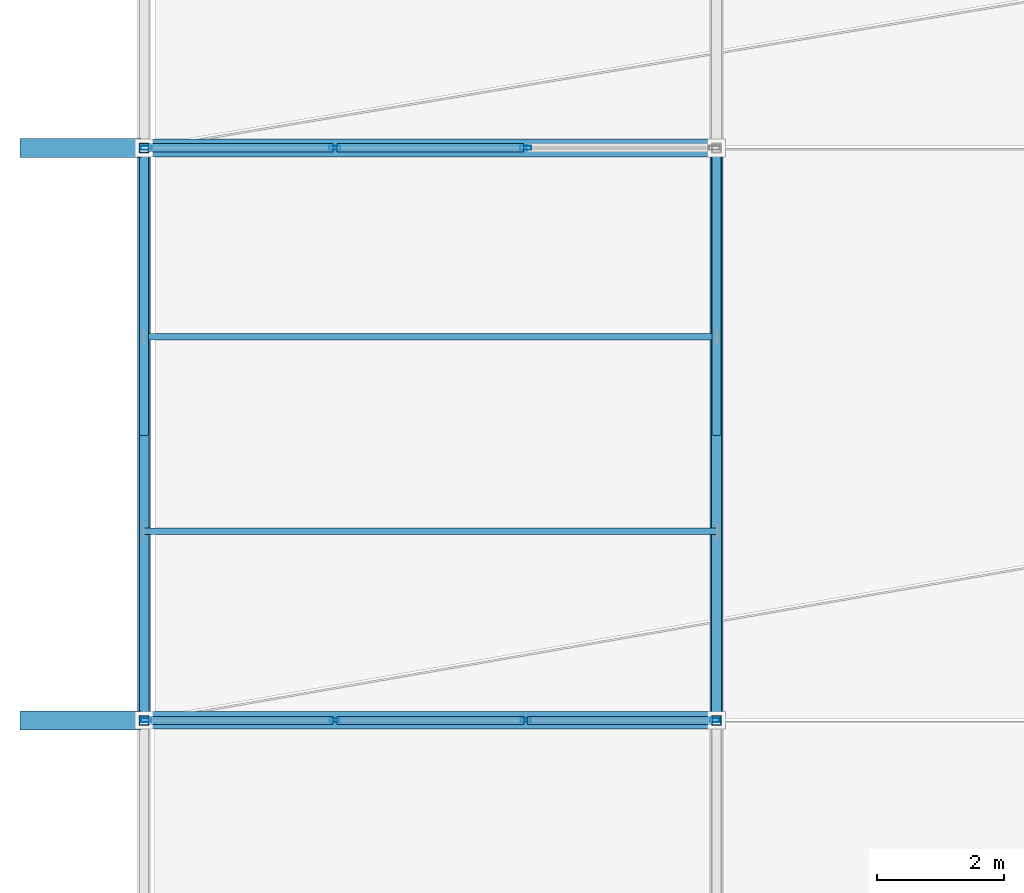
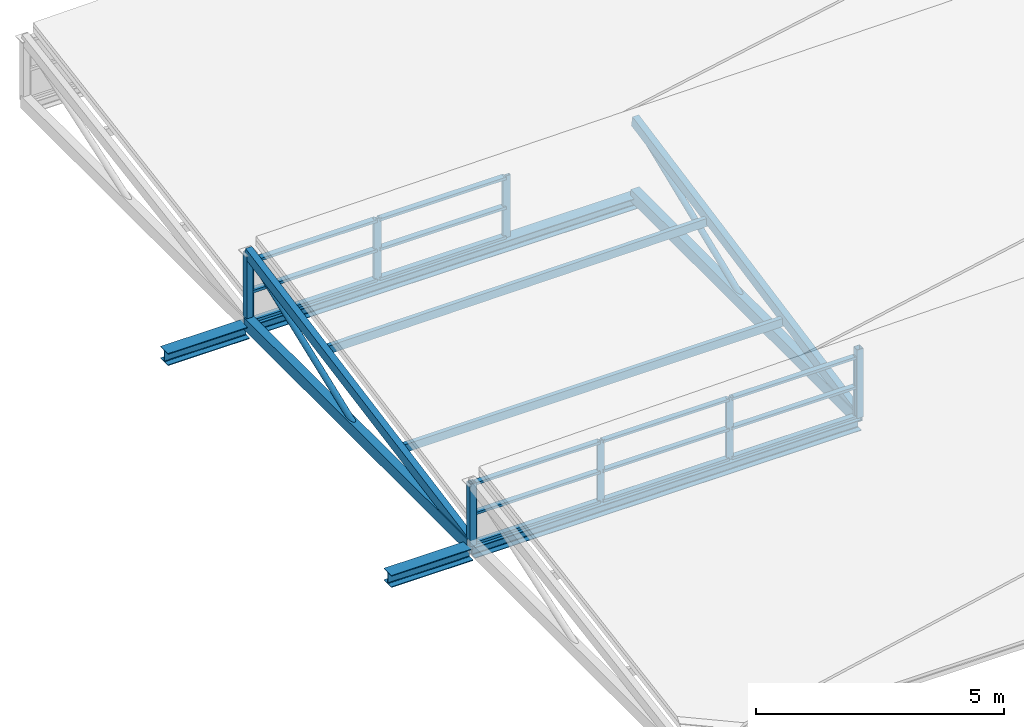
# One storey, part 23 of 103: 33 members, 4 beams, 2 elements without a shape of their own.
"""IFC4 building model written with IfcOpenShell, lengths in metres."""

from ifc_helpers import new_model, si_unit, direction, frame, origin, origin_2d, place, context, subcontext, project, spatial, hollow_rectangle, hollow_circle, i_section, extrude, material, layer, layer_set, material_profile, profile_set, type_object, element, aggregate, save


model = new_model("IFC4")

# Units and contexts
model_context = context("Model", 3, precision=1e-05, world=origin(), true_north=direction((0.0, 1.0)))
body_context = subcontext(model_context, "Body", "Model", "MODEL_VIEW")
ifc_project = project(units=[si_unit("LENGTHUNIT", "METRE"), si_unit("AREAUNIT", "SQUARE_METRE"), si_unit("VOLUMEUNIT", "CUBIC_METRE"), si_unit("PLANEANGLEUNIT", "RADIAN"), si_unit("MASSUNIT", "GRAM", prefix="KILO")], contexts=[model_context])

# Site, building, storey
site_placement = place(None, origin())
site = spatial("IfcSite", under=ifc_project, at=site_placement, CompositionType="ELEMENT")
building_placement = place(site_placement, origin())
building = spatial("IfcBuilding", under=site, at=building_placement, Name="Deido Ridge Mobility Hub", CompositionType="ELEMENT")
storey_placement = place(building_placement, frame((0.0, 0.0, 12.60009765625)))
storey = spatial("IfcBuildingStorey", under=building, at=storey_placement, Name="L03", CompositionType="ELEMENT", Elevation=12.60009765625)

# Members
ifc_material_1 = material(Name="Steel S355J2H EN 10210-1", Category="steel")
ifc_material_profile_1 = material_profile(ifc_material_1, hollow_rectangle(XDim=0.199951171875, YDim=0.300048828125, WallThickness=0.012451171875, at=origin_2d()), Name="RHS 300x200x12.5")
ifc_profile_set_1 = profile_set([ifc_material_profile_1], Name="Steel S355J2H EN 10210-1")
member_type_1 = type_object("IfcMemberType", Name="MEM-CHD-RHS300", PredefinedType="CHORD", material=ifc_profile_set_1)
for number, where, z_axis, x_axis, name in (
    (1, (0.0, 63.0, 0.0), (0.0, 1.0, 0.0), (-1.0, 0.0, 0.0), "Sawtooth bottom chord CH1"),
    (2, (9.0, 63.0, 0.0), (0.0, 1.0, 0.0), (-1.0, 0.0, 0.0), "Sawtooth bottom chord CH1"),
):
    element("IfcMember", number, at=place(storey_placement, frame(where, z_axis=z_axis, x_axis=x_axis)), inside=storey, type_object=member_type_1, Name=name, PredefinedType="CHORD", context=body_context, shape_type="SweptSolid", body=[
        extrude(hollow_rectangle(XDim=0.199951171875, YDim=0.300048828125, WallThickness=0.012451171875, at=origin_2d()), origin(), (0.0, 0.0, 1.0), 9.0),
    ])

# Curtain wall, members
ifc_material_2 = material(Name="Anodised aluminium EN AW-6063 T6", Category="aluminium")
ifc_layer = layer(ifc_material_2, 0.14404296875, Name="Anodised aluminium EN AW-6063 T6")
ifc_layer_set = layer_set([ifc_layer], Name="Anodised aluminium EN AW-6063 T6")
curtain_wall_type = type_object("IfcCurtainWallType", Name="CW-GS-2", PredefinedType="USERDEFINED", material=ifc_layer_set)
curtain_wall_1_placement = place(storey_placement, origin())
curtain_wall_1 = element("IfcCurtainWall", 3, at=curtain_wall_1_placement, inside=storey, type_object=curtain_wall_type, Name="Unitised curtain wall GS2", ObjectType="GLAZED SCREEN", PredefinedType="USERDEFINED")
ifc_material_profile_2 = material_profile(ifc_material_2, hollow_rectangle(XDim=0.06005859375, YDim=0.159912109375, WallThickness=0.00390625, at=origin_2d()), Name="RHS 60x160x4")
ifc_profile_set_2 = profile_set([ifc_material_profile_2], Name="Anodised aluminium EN AW-6063 T6")
member_type_2 = type_object("IfcMemberType", Name="MEM-MUL-60X160", PredefinedType="MULLION", material=ifc_profile_set_2)
member_1_placement = place(storey_placement, frame((0.030029296875, 63.0, 0.0), z_axis=(0.0, 0.0, 1.0), x_axis=(0.0, 1.0, 0.0)))
member_1 = element("IfcMember", 4, at=member_1_placement, type_object=member_type_2, Name="GS2 mullion 1", PredefinedType="MULLION", context=body_context, shape_type="SweptSolid", body=[
    extrude(hollow_rectangle(XDim=0.06005859375, YDim=0.159912109375, WallThickness=0.00390625, at=origin_2d()), origin(), (0.0, 0.0, 1.0), 1.52001953125),
])
member_2_placement = place(storey_placement, frame((3.0, 63.0, 0.0), z_axis=(0.0, 0.0, 1.0), x_axis=(0.0, 1.0, 0.0)))
member_2 = element("IfcMember", 5, at=member_2_placement, type_object=member_type_2, Name="GS2 mullion 2", PredefinedType="MULLION", context=body_context, shape_type="SweptSolid", body=[
    extrude(hollow_rectangle(XDim=0.06005859375, YDim=0.159912109375, WallThickness=0.00390625, at=origin_2d()), origin(), (0.0, 0.0, 1.0), 1.52001953125),
])
member_3_placement = place(storey_placement, frame((6.0, 63.0, 0.0), z_axis=(0.0, 0.0, 1.0), x_axis=(0.0, 1.0, 0.0)))
member_3 = element("IfcMember", 6, at=member_3_placement, type_object=member_type_2, Name="GS2 mullion 3", PredefinedType="MULLION", context=body_context, shape_type="SweptSolid", body=[
    extrude(hollow_rectangle(XDim=0.06005859375, YDim=0.159912109375, WallThickness=0.00390625, at=origin_2d()), origin(), (0.0, 0.0, 1.0), 1.52001953125),
])
member_4_placement = place(storey_placement, frame((8.969970703125, 63.0, 0.0), z_axis=(0.0, 0.0, 1.0), x_axis=(0.0, 1.0, 0.0)))
member_4 = element("IfcMember", 7, at=member_4_placement, type_object=member_type_2, Name="GS2 mullion 4", PredefinedType="MULLION", context=body_context, shape_type="SweptSolid", body=[
    extrude(hollow_rectangle(XDim=0.06005859375, YDim=0.159912109375, WallThickness=0.00390625, at=origin_2d()), origin(), (0.0, 0.0, 1.0), 1.52001953125),
])

curtain_wall_2_placement = place(storey_placement, origin())
curtain_wall_2 = element("IfcCurtainWall", 8, at=curtain_wall_2_placement, inside=storey, type_object=curtain_wall_type, Name="Unitised curtain wall GS2", ObjectType="GLAZED SCREEN", PredefinedType="USERDEFINED")
ifc_material_profile_3 = material_profile(ifc_material_2, hollow_rectangle(XDim=0.06494140625, YDim=0.175048828125, WallThickness=0.00390625, at=origin_2d()), Name="RHS 65x175x4")
ifc_profile_set_3 = profile_set([ifc_material_profile_3], Name="Anodised aluminium EN AW-6063 T6")
member_type_3 = type_object("IfcMemberType", Name="MEM-MUL-65X175", PredefinedType="MULLION", material=ifc_profile_set_3)
member_5_placement = place(storey_placement, frame((0.032470703125, 72.0, 0.0), z_axis=(0.0, 0.0, 1.0), x_axis=(0.0, 1.0, 0.0)))
member_5 = element("IfcMember", 9, at=member_5_placement, type_object=member_type_3, Name="GS2 mullion 1", PredefinedType="MULLION", context=body_context, shape_type="SweptSolid", body=[
    extrude(hollow_rectangle(XDim=0.06494140625, YDim=0.175048828125, WallThickness=0.00390625, at=origin_2d()), origin(), (0.0, 0.0, 1.0), 1.52001953125),
])
member_6_placement = place(storey_placement, frame((3.0, 72.0, 0.0), z_axis=(0.0, 0.0, 1.0), x_axis=(0.0, 1.0, 0.0)))
member_6 = element("IfcMember", 10, at=member_6_placement, type_object=member_type_3, Name="GS2 mullion 2", PredefinedType="MULLION", context=body_context, shape_type="SweptSolid", body=[
    extrude(hollow_rectangle(XDim=0.06494140625, YDim=0.175048828125, WallThickness=0.00390625, at=origin_2d()), origin(), (0.0, 0.0, 1.0), 1.52001953125),
])
member_7_placement = place(storey_placement, frame((6.0, 72.0, 0.0), z_axis=(0.0, 0.0, 1.0), x_axis=(0.0, 1.0, 0.0)))
member_7 = element("IfcMember", 11, at=member_7_placement, type_object=member_type_3, Name="GS2 mullion 3", PredefinedType="MULLION", context=body_context, shape_type="SweptSolid", body=[
    extrude(hollow_rectangle(XDim=0.06494140625, YDim=0.175048828125, WallThickness=0.00390625, at=origin_2d()), origin(), (0.0, 0.0, 1.0), 1.52001953125),
])

# Members
ifc_material_profile_4 = material_profile(ifc_material_1, hollow_rectangle(XDim=0.14990234375, YDim=0.14990234375, WallThickness=0.008056640625, at=origin_2d()), Name="SHS 150x150x8")
ifc_profile_set_4 = profile_set([ifc_material_profile_4], Name="Steel S355J2H EN 10210-1")
member_type_4 = type_object("IfcMemberType", Name="MEM-PST-SHS150", PredefinedType="POST", material=ifc_profile_set_4)
member_8_placement = place(storey_placement, frame((0.0, 63.0, 0.0), z_axis=(0.0, 0.0, 1.0), x_axis=(1.0, 0.0, 0.0)))
element("IfcMember", 12, at=member_8_placement, inside=storey, type_object=member_type_4, Name="Sawtooth clerestory post PS1", PredefinedType="POST", context=body_context, shape_type="SweptSolid", body=[
    extrude(hollow_rectangle(XDim=0.14990234375, YDim=0.14990234375, WallThickness=0.008056640625, at=origin_2d()), origin(), (0.0, 0.0, 1.0), 1.52978515625),
])
member_9_placement = place(storey_placement, frame((9.0, 63.0, 0.0), z_axis=(0.0, 0.0, 1.0), x_axis=(1.0, 0.0, 0.0)))
element("IfcMember", 13, at=member_9_placement, inside=storey, type_object=member_type_4, Name="Sawtooth clerestory post PS1", PredefinedType="POST", context=body_context, shape_type="SweptSolid", body=[
    extrude(hollow_rectangle(XDim=0.14990234375, YDim=0.14990234375, WallThickness=0.008056640625, at=origin_2d()), origin(), (0.0, 0.0, 1.0), 1.68994140625),
])
member_10_placement = place(storey_placement, frame((0.0, 72.0, 0.0), z_axis=(0.0, 0.0, 1.0), x_axis=(1.0, 0.0, 0.0)))
element("IfcMember", 14, at=member_10_placement, inside=storey, type_object=member_type_4, Name="Sawtooth clerestory post PS1", PredefinedType="POST", context=body_context, shape_type="SweptSolid", body=[
    extrude(hollow_rectangle(XDim=0.14990234375, YDim=0.14990234375, WallThickness=0.008056640625, at=origin_2d()), origin(), (0.0, 0.0, 1.0), 1.72998046875),
])
ifc_material_profile_5 = material_profile(ifc_material_1, hollow_rectangle(XDim=0.10009765625, YDim=0.199951171875, WallThickness=0.008056640625, at=origin_2d()), Name="RHS 200x100x8")
ifc_profile_set_5 = profile_set([ifc_material_profile_5], Name="Steel S355J2H EN 10210-1")
member_type_5 = type_object("IfcMemberType", Name="MEM-PUR-RHS200", PredefinedType="PURLIN", material=ifc_profile_set_5)
member_11_placement = place(storey_placement, frame((0.0, 65.969970703125, 0.5244140625), z_axis=(0.999994613182, 0.0, 0.003282317388), x_axis=(0.0, 1.0, 0.0)))
element("IfcMember", 15, at=member_11_placement, inside=storey, type_object=member_type_5, Name="Sawtooth roof purlin PR1", PredefinedType="PURLIN", context=body_context, shape_type="SweptSolid", body=[
    extrude(hollow_rectangle(XDim=0.10009765625, YDim=0.199951171875, WallThickness=0.008056640625, at=origin_2d()), origin(), (0.0, 0.0, 1.0), 9.0),
])
member_12_placement = place(storey_placement, frame((0.0, 69.030029296875, 1.095458984375), z_axis=(0.99997755372, 0.0, 0.006700153423), x_axis=(0.0, 1.0, 0.0)))
element("IfcMember", 16, at=member_12_placement, inside=storey, type_object=member_type_5, Name="Sawtooth roof purlin PR1", PredefinedType="PURLIN", context=body_context, shape_type="SweptSolid", body=[
    extrude(hollow_rectangle(XDim=0.10009765625, YDim=0.199951171875, WallThickness=0.008056640625, at=origin_2d()), origin(), (0.0, 0.0, 1.0), 9.000244140625),
])
ifc_material_profile_6 = material_profile(ifc_material_1, hollow_rectangle(XDim=0.14990234375, YDim=0.25, WallThickness=0.010009765625, at=origin_2d()), Name="RHS 250x150x10")
ifc_profile_set_6 = profile_set([ifc_material_profile_6], Name="Steel S355J2H EN 10210-1")
member_type_6 = type_object("IfcMemberType", Name="MEM-RAF-RHS250", PredefinedType="RAFTER", material=ifc_profile_set_6)
member_13_placement = place(storey_placement, frame((0.0, 63.0, 0.0498046875), z_axis=(0.0, 0.98301678535, 0.183515666145), x_axis=(-1.0, 0.0, 0.0)))
element("IfcMember", 17, at=member_13_placement, inside=storey, type_object=member_type_6, Name="Sawtooth sloped rafter RF1", PredefinedType="RAFTER", context=body_context, shape_type="SweptSolid", body=[
    extrude(hollow_rectangle(XDim=0.14990234375, YDim=0.25, WallThickness=0.010009765625, at=origin_2d()), origin(), (0.0, 0.0, 1.0), 9.155517578125),
])
member_14_placement = place(storey_placement, frame((9.0, 63.0, 0.0498046875), z_axis=(0.0, 0.981204206723, 0.192972290005), x_axis=(-1.0, 0.0, 0.0)))
element("IfcMember", 18, at=member_14_placement, inside=storey, type_object=member_type_6, Name="Sawtooth sloped rafter RF1", PredefinedType="RAFTER", context=body_context, shape_type="SweptSolid", body=[
    extrude(hollow_rectangle(XDim=0.14990234375, YDim=0.25, WallThickness=0.010009765625, at=origin_2d()), origin(), (0.0, 0.0, 1.0), 9.17236328125),
])
ifc_material_profile_7 = material_profile(ifc_material_1, hollow_circle(Radius=0.06982421875, WallThickness=0.00634765625, at=origin_2d()), Name="CHS 139.7x6.3")
ifc_profile_set_7 = profile_set([ifc_material_profile_7], Name="Steel S355J2H EN 10210-1")
member_type_7 = type_object("IfcMemberType", Name="MEM-STR-CHS140", PredefinedType="STRUT", material=ifc_profile_set_7)
member_15_placement = place(storey_placement, frame((0.0, 67.5, 0.0), z_axis=(0.0, 0.933400412047, 0.358836551637), x_axis=(-1.0, 0.0, 0.0)))
element("IfcMember", 19, at=member_15_placement, inside=storey, type_object=member_type_7, Name="Sawtooth web strut SR2", PredefinedType="STRUT", context=body_context, shape_type="SweptSolid", body=[
    extrude(hollow_circle(Radius=0.06982421875, WallThickness=0.00634765625, at=origin_2d()), origin(), (0.0, 0.0, 1.0), 4.821044921875),
])
member_16_placement = place(storey_placement, frame((9.0, 67.5, 0.0), z_axis=(0.0, 0.927061718731, 0.374908748449), x_axis=(-1.0, 0.0, 0.0)))
element("IfcMember", 20, at=member_16_placement, inside=storey, type_object=member_type_7, Name="Sawtooth web strut SR2", PredefinedType="STRUT", context=body_context, shape_type="SweptSolid", body=[
    extrude(hollow_circle(Radius=0.06982421875, WallThickness=0.00634765625, at=origin_2d()), origin(), (0.0, 0.0, 1.0), 4.85400390625),
])

# Member
ifc_material_profile_8 = material_profile(ifc_material_2, hollow_rectangle(XDim=0.125, YDim=0.06005859375, WallThickness=0.00390625, at=origin_2d()), Name="RHS 125x60x4")
ifc_profile_set_8 = profile_set([ifc_material_profile_8], Name="Anodised aluminium EN AW-6063 T6")
member_type_8 = type_object("IfcMemberType", Name="MEM-TRN-125X60", PredefinedType="USERDEFINED", material=ifc_profile_set_8)
member_17_placement = place(storey_placement, frame((0.06005859375, 63.0, 0.02978515625), z_axis=(1.0, 0.0, 0.0), x_axis=(0.0, 1.0, 0.0)))
member_17 = element("IfcMember", 21, at=member_17_placement, type_object=member_type_8, Name="GS2 transom 1.1", ObjectType="TRANSOM", PredefinedType="USERDEFINED", context=body_context, shape_type="SweptSolid", body=[
    extrude(hollow_rectangle(XDim=0.125, YDim=0.06005859375, WallThickness=0.00390625, at=origin_2d()), origin(), (0.0, 0.0, 1.0), 2.909912109375),
])

member_18_placement = place(storey_placement, frame((0.06005859375, 63.0, 0.760009765625), z_axis=(1.0, 0.0, 0.0), x_axis=(0.0, 1.0, 0.0)))
member_18 = element("IfcMember", 22, at=member_18_placement, type_object=member_type_8, Name="GS2 transom 1.2", ObjectType="TRANSOM", PredefinedType="USERDEFINED", context=body_context, shape_type="SweptSolid", body=[
    extrude(hollow_rectangle(XDim=0.125, YDim=0.06005859375, WallThickness=0.00390625, at=origin_2d()), origin(), (0.0, 0.0, 1.0), 2.909912109375),
])

member_19_placement = place(storey_placement, frame((0.06005859375, 63.0, 1.489990234375), z_axis=(1.0, 0.0, 0.0), x_axis=(0.0, 1.0, 0.0)))
member_19 = element("IfcMember", 23, at=member_19_placement, type_object=member_type_8, Name="GS2 transom 1.3", ObjectType="TRANSOM", PredefinedType="USERDEFINED", context=body_context, shape_type="SweptSolid", body=[
    extrude(hollow_rectangle(XDim=0.125, YDim=0.06005859375, WallThickness=0.00390625, at=origin_2d()), origin(), (0.0, 0.0, 1.0), 2.909912109375),
])

member_20_placement = place(storey_placement, frame((3.030029296875, 63.0, 0.02978515625), z_axis=(1.0, 0.0, 0.0), x_axis=(0.0, 1.0, 0.0)))
member_20 = element("IfcMember", 24, at=member_20_placement, type_object=member_type_8, Name="GS2 transom 2.1", ObjectType="TRANSOM", PredefinedType="USERDEFINED", context=body_context, shape_type="SweptSolid", body=[
    extrude(hollow_rectangle(XDim=0.125, YDim=0.06005859375, WallThickness=0.00390625, at=origin_2d()), origin(), (0.0, 0.0, 1.0), 2.93994140625),
])

member_21_placement = place(storey_placement, frame((3.030029296875, 63.0, 0.760009765625), z_axis=(1.0, 0.0, 0.0), x_axis=(0.0, 1.0, 0.0)))
member_21 = element("IfcMember", 25, at=member_21_placement, type_object=member_type_8, Name="GS2 transom 2.2", ObjectType="TRANSOM", PredefinedType="USERDEFINED", context=body_context, shape_type="SweptSolid", body=[
    extrude(hollow_rectangle(XDim=0.125, YDim=0.06005859375, WallThickness=0.00390625, at=origin_2d()), origin(), (0.0, 0.0, 1.0), 2.93994140625),
])

member_22_placement = place(storey_placement, frame((3.030029296875, 63.0, 1.489990234375), z_axis=(1.0, 0.0, 0.0), x_axis=(0.0, 1.0, 0.0)))
member_22 = element("IfcMember", 26, at=member_22_placement, type_object=member_type_8, Name="GS2 transom 2.3", ObjectType="TRANSOM", PredefinedType="USERDEFINED", context=body_context, shape_type="SweptSolid", body=[
    extrude(hollow_rectangle(XDim=0.125, YDim=0.06005859375, WallThickness=0.00390625, at=origin_2d()), origin(), (0.0, 0.0, 1.0), 2.93994140625),
])

member_23_placement = place(storey_placement, frame((6.030029296875, 63.0, 0.02978515625), z_axis=(1.0, 0.0, 0.0), x_axis=(0.0, 1.0, 0.0)))
member_23 = element("IfcMember", 27, at=member_23_placement, type_object=member_type_8, Name="GS2 transom 3.1", ObjectType="TRANSOM", PredefinedType="USERDEFINED", context=body_context, shape_type="SweptSolid", body=[
    extrude(hollow_rectangle(XDim=0.125, YDim=0.06005859375, WallThickness=0.00390625, at=origin_2d()), origin(), (0.0, 0.0, 1.0), 2.909912109375),
])

member_24_placement = place(storey_placement, frame((6.030029296875, 63.0, 0.760009765625), z_axis=(1.0, 0.0, 0.0), x_axis=(0.0, 1.0, 0.0)))
member_24 = element("IfcMember", 28, at=member_24_placement, type_object=member_type_8, Name="GS2 transom 3.2", ObjectType="TRANSOM", PredefinedType="USERDEFINED", context=body_context, shape_type="SweptSolid", body=[
    extrude(hollow_rectangle(XDim=0.125, YDim=0.06005859375, WallThickness=0.00390625, at=origin_2d()), origin(), (0.0, 0.0, 1.0), 2.909912109375),
])

member_25_placement = place(storey_placement, frame((6.030029296875, 63.0, 1.489990234375), z_axis=(1.0, 0.0, 0.0), x_axis=(0.0, 1.0, 0.0)))
member_25 = element("IfcMember", 29, at=member_25_placement, type_object=member_type_8, Name="GS2 transom 3.3", ObjectType="TRANSOM", PredefinedType="USERDEFINED", context=body_context, shape_type="SweptSolid", body=[
    extrude(hollow_rectangle(XDim=0.125, YDim=0.06005859375, WallThickness=0.00390625, at=origin_2d()), origin(), (0.0, 0.0, 1.0), 2.909912109375),
])

aggregate(curtain_wall_1, [member_1, member_2, member_3, member_4, member_17, member_18, member_19, member_20, member_21, member_22, member_23, member_24, member_25])

ifc_material_profile_9 = material_profile(ifc_material_2, hollow_rectangle(XDim=0.135009765625, YDim=0.06494140625, WallThickness=0.00390625, at=origin_2d()), Name="RHS 135x65x4")
ifc_profile_set_9 = profile_set([ifc_material_profile_9], Name="Anodised aluminium EN AW-6063 T6")
member_type_9 = type_object("IfcMemberType", Name="MEM-TRN-135X65", PredefinedType="USERDEFINED", material=ifc_profile_set_9)
member_26_placement = place(storey_placement, frame((0.06494140625, 72.0, 0.032470703125), z_axis=(1.0, 0.0, 0.0), x_axis=(0.0, 1.0, 0.0)))
member_26 = element("IfcMember", 30, at=member_26_placement, type_object=member_type_9, Name="GS2 transom 1.1", ObjectType="TRANSOM", PredefinedType="USERDEFINED", context=body_context, shape_type="SweptSolid", body=[
    extrude(hollow_rectangle(XDim=0.135009765625, YDim=0.06494140625, WallThickness=0.00390625, at=origin_2d()), origin(), (0.0, 0.0, 1.0), 2.902587890625),
])

member_27_placement = place(storey_placement, frame((0.06494140625, 72.0, 0.760009765625), z_axis=(1.0, 0.0, 0.0), x_axis=(0.0, 1.0, 0.0)))
member_27 = element("IfcMember", 31, at=member_27_placement, type_object=member_type_9, Name="GS2 transom 1.2", ObjectType="TRANSOM", PredefinedType="USERDEFINED", context=body_context, shape_type="SweptSolid", body=[
    extrude(hollow_rectangle(XDim=0.135009765625, YDim=0.06494140625, WallThickness=0.00390625, at=origin_2d()), origin(), (0.0, 0.0, 1.0), 2.902587890625),
])

member_28_placement = place(storey_placement, frame((0.06494140625, 72.0, 1.4873046875), z_axis=(1.0, 0.0, 0.0), x_axis=(0.0, 1.0, 0.0)))
member_28 = element("IfcMember", 32, at=member_28_placement, type_object=member_type_9, Name="GS2 transom 1.3", ObjectType="TRANSOM", PredefinedType="USERDEFINED", context=body_context, shape_type="SweptSolid", body=[
    extrude(hollow_rectangle(XDim=0.135009765625, YDim=0.06494140625, WallThickness=0.00390625, at=origin_2d()), origin(), (0.0, 0.0, 1.0), 2.902587890625),
])

member_29_placement = place(storey_placement, frame((3.032470703125, 72.0, 0.032470703125), z_axis=(1.0, 0.0, 0.0), x_axis=(0.0, 1.0, 0.0)))
member_29 = element("IfcMember", 33, at=member_29_placement, type_object=member_type_9, Name="GS2 transom 2.1", ObjectType="TRANSOM", PredefinedType="USERDEFINED", context=body_context, shape_type="SweptSolid", body=[
    extrude(hollow_rectangle(XDim=0.135009765625, YDim=0.06494140625, WallThickness=0.00390625, at=origin_2d()), origin(), (0.0, 0.0, 1.0), 2.93505859375),
])

member_30_placement = place(storey_placement, frame((3.032470703125, 72.0, 0.760009765625), z_axis=(1.0, 0.0, 0.0), x_axis=(0.0, 1.0, 0.0)))
member_30 = element("IfcMember", 34, at=member_30_placement, type_object=member_type_9, Name="GS2 transom 2.2", ObjectType="TRANSOM", PredefinedType="USERDEFINED", context=body_context, shape_type="SweptSolid", body=[
    extrude(hollow_rectangle(XDim=0.135009765625, YDim=0.06494140625, WallThickness=0.00390625, at=origin_2d()), origin(), (0.0, 0.0, 1.0), 2.93505859375),
])

member_31_placement = place(storey_placement, frame((3.032470703125, 72.0, 1.4873046875), z_axis=(1.0, 0.0, 0.0), x_axis=(0.0, 1.0, 0.0)))
member_31 = element("IfcMember", 35, at=member_31_placement, type_object=member_type_9, Name="GS2 transom 2.3", ObjectType="TRANSOM", PredefinedType="USERDEFINED", context=body_context, shape_type="SweptSolid", body=[
    extrude(hollow_rectangle(XDim=0.135009765625, YDim=0.06494140625, WallThickness=0.00390625, at=origin_2d()), origin(), (0.0, 0.0, 1.0), 2.93505859375),
])

aggregate(curtain_wall_2, [member_5, member_6, member_7, member_26, member_27, member_28, member_29, member_30, member_31])

# Beams
ifc_material_3 = material(Name="Steel S355J2 EN 10025-2", Category="steel")
ifc_material_profile_10 = material_profile(ifc_material_3, i_section(OverallWidth=0.280029296875, OverallDepth=0.27001953125, WebThickness=0.008056640625, FlangeThickness=0.012939453125, FilletRadius=0.02392578125, at=origin_2d()), Name="HEA 280")
ifc_profile_set_10 = profile_set([ifc_material_profile_10], Name="Steel S355J2 EN 10025-2")
beam_type_1 = type_object("IfcBeamType", Name="SPD-HEA280", PredefinedType="SPANDREL", material=ifc_profile_set_10)
for number, where, z_axis, x_axis, name in (
    (36, (0.00732421875, 63.0, -0.135009765625), (1.0, 0.0, 0.0), (0.0, 1.0, 0.0), "Sawtooth eave beam SP2"),
    (37, (0.00732421875, 72.0, -0.135009765625), (1.0, 0.0, 0.0), (0.0, 1.0, 0.0), "Sawtooth eave beam SP2"),
):
    element("IfcBeam", number, at=place(storey_placement, frame(where, z_axis=z_axis, x_axis=x_axis)), inside=storey, type_object=beam_type_1, Name=name, PredefinedType="SPANDREL", context=body_context, shape_type="SweptSolid", body=[
        extrude(i_section(OverallWidth=0.280029296875, OverallDepth=0.27001953125, WebThickness=0.008056640625, FlangeThickness=0.012939453125, FilletRadius=0.02392578125, at=origin_2d()), origin(), (0.0, 0.0, 1.0), 8.985595703125),
    ])
ifc_material_profile_11 = material_profile(ifc_material_3, i_section(OverallWidth=0.300048828125, OverallDepth=0.300048828125, WebThickness=0.010986328125, FlangeThickness=0.01904296875, FilletRadius=0.027099609375, at=origin_2d()), Name="HEB 300")
ifc_profile_set_11 = profile_set([ifc_material_profile_11], Name="Steel S355J2 EN 10025-2")
beam_type_2 = type_object("IfcBeamType", Name="SPD-HEB300", PredefinedType="SPANDREL", material=ifc_profile_set_11)
for number, where, z_axis, x_axis, name in (
    (38, (-0.050048828125, 63.0, -0.150146484375), (-1.0, 0.0, 0.0), (0.0, -1.0, 0.0), "Exoskeleton outrigger beam SP1"),
    (39, (-0.050048828125, 72.0, -0.150146484375), (-1.0, 0.0, 0.0), (0.0, -1.0, 0.0), "Exoskeleton outrigger beam SP1"),
):
    element("IfcBeam", number, at=place(storey_placement, frame(where, z_axis=z_axis, x_axis=x_axis)), inside=storey, type_object=beam_type_2, Name=name, PredefinedType="SPANDREL", context=body_context, shape_type="SweptSolid", body=[
        extrude(i_section(OverallWidth=0.300048828125, OverallDepth=0.300048828125, WebThickness=0.010986328125, FlangeThickness=0.01904296875, FilletRadius=0.027099609375, at=origin_2d()), origin(), (0.0, 0.0, 1.0), 1.89990234375),
    ])

save(model, "model.ifc")
